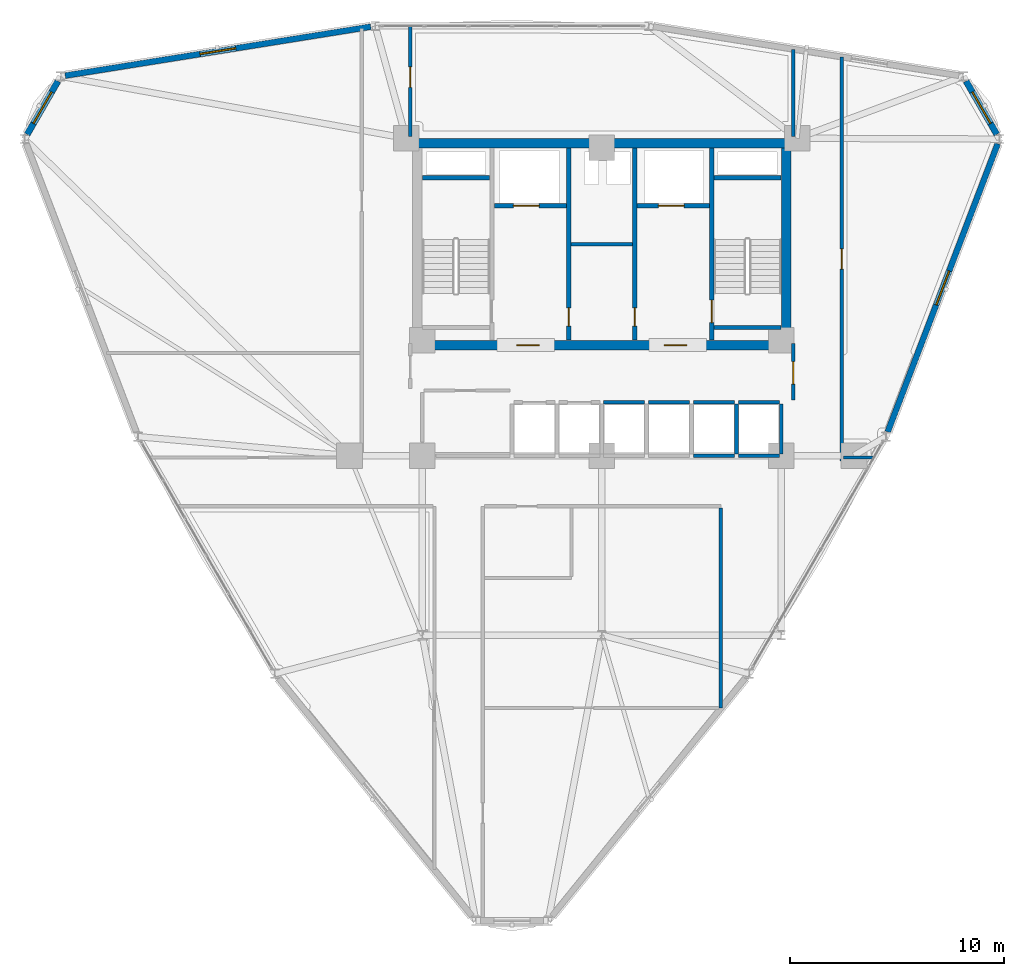
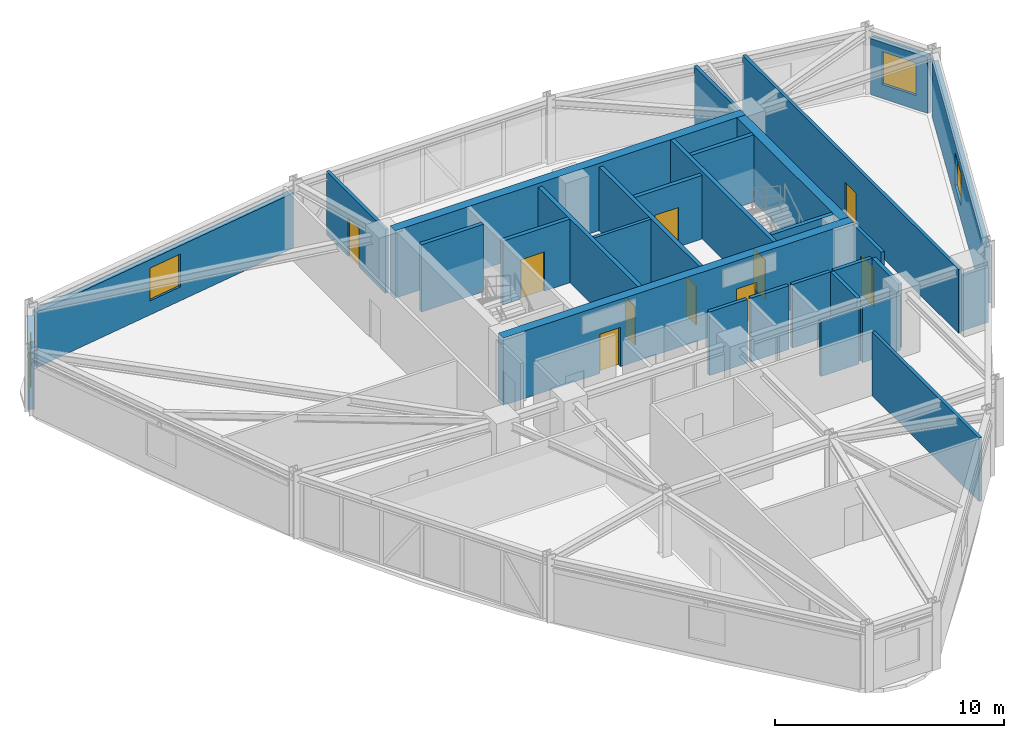
# One storey, part 11 of 15: 30 walls, 10 doors, 4 windows, 14 openings.
"""IFC4 building model written with IfcOpenShell, lengths in metres."""

from ifc_helpers import new_model, si_unit, derived_unit, direction, frame, frame_2d, origin, place, context, subcontext, project, spatial, rectangle, extrude, material, layer, layer_set, type_object, element, fill, save


model = new_model("IFC4")

# Units and contexts
model_context = context("Model", 3, precision=1e-05, world=origin(), true_north=direction((0.0, 1.0)))
body_context = subcontext(model_context, "Body", "Model", "MODEL_VIEW")
ifc_project = project(units=[si_unit("LENGTHUNIT", "METRE"), si_unit("AREAUNIT", "SQUARE_METRE"), si_unit("VOLUMEUNIT", "CUBIC_METRE"), si_unit("PLANEANGLEUNIT", "RADIAN"), si_unit("MASSUNIT", "GRAM", prefix="KILO"), derived_unit("THERMALTRANSMITTANCEUNIT", [(si_unit("POWERUNIT", "WATT"), 1), (si_unit("LENGTHUNIT", "METRE"), -2), (si_unit("THERMODYNAMICTEMPERATUREUNIT", "KELVIN"), -1)])], contexts=[model_context])

# Site, building, storey
site_placement = place(None, origin())
site = spatial("IfcSite", under=ifc_project, at=site_placement, CompositionType="ELEMENT")
building_placement = place(site_placement, origin())
building = spatial("IfcBuilding", under=site, at=building_placement, Name="Korsvarv Bourse and Concert Hall", CompositionType="ELEMENT")
storey_placement = place(building_placement, frame((0.0, 0.0, 161.39990234375)))
storey = spatial("IfcBuildingStorey", under=building, at=storey_placement, Name="L41", CompositionType="ELEMENT", Elevation=161.39990234375)

# Wall
ifc_material_1 = material(Name="Concrete C50/60", Category="concrete")
ifc_layer_1 = layer(ifc_material_1, 0.3798828125)
ifc_layer_set_1 = layer_set([ifc_layer_1], Name="Concrete C50/60")
wall_type_1 = type_object("IfcWallType", Name="WL-CORE-380", PredefinedType="SHEAR", material=ifc_layer_set_1)
wall_1_placement = place(storey_placement, frame((27.610107421875, 45.39990234375, 0.0), z_axis=(0.0, 0.0, 1.0), x_axis=(1.0, 0.0, 0.0)))
element("IfcWall", 1, at=wall_1_placement, inside=storey, type_object=wall_type_1, Name="L41 stair shaft structural wall W-L41-ST1-N", PredefinedType="SHEAR", context=body_context, shape_type="SweptSolid", body=[
    extrude(rectangle(XDim=3.139892578125, YDim=0.199951171875, at=frame_2d((1.56982421875, 0.0))), origin(), (0.0, 0.0, 1.0), 3.60009765625),
])

# Wall, opening, door
wall_2_placement = place(storey_placement, frame((41.139892578125, 37.81005859375, 0.0), z_axis=(0.0, 0.0, 1.0), x_axis=(0.0, 1.0, 0.0)))
wall_2 = element("IfcWall", 2, at=wall_2_placement, inside=storey, type_object=wall_type_1, Name="L41 stair shaft structural wall W-L41-ST2-W", PredefinedType="SHEAR", context=body_context, shape_type="SweptSolid", body=[
    extrude(rectangle(XDim=8.97998046875, YDim=0.199951171875, at=frame_2d((4.489990234375, 0.0))), origin(), (0.0, 0.0, 1.0), 3.60009765625),
])
opening_1_placement = place(wall_2_placement, frame((0.820068359375, 0.0, 0.0)))
opening_1 = element("IfcOpeningElement", 3, at=opening_1_placement, cuts=wall_2, Name="Opening D-01", PredefinedType="OPENING", context=body_context, shape_type="SweptSolid", body=[
    extrude(rectangle(XDim=1.050048828125, YDim=2.10009765625, at=frame_2d((0.52490234375, 1.050048828125))), frame((0.0, 0.10986328125, 0.0), z_axis=(0.0, -1.0, 0.0), x_axis=(1.0, 0.0, 0.0)), (0.0, 0.0, 1.0), 0.219970703125),
])
ifc_material_2 = material(Name="Steel S355 fire door", Category="steel")
door_type_1 = type_object("IfcDoorType", Name="DR-FD60", OperationType="NOTDEFINED", PredefinedType="DOOR", material=ifc_material_2)
door_1_placement = place(opening_1_placement, frame((1.050048828125, 0.0, 0.0), z_axis=(0.0, 0.0, 1.0), x_axis=(-1.0, 0.0, 0.0)))
door_1 = element("IfcDoor", 4, at=door_1_placement, inside=storey, type_object=door_type_1, Name="L41 interior door DR-L41-ST2", OperationType="SINGLE_SWING_LEFT", OverallHeight=2.10009765625, OverallWidth=1.050048828125, PredefinedType="DOOR", context=body_context, shape_type="SweptSolid", body=[
    extrude(rectangle(XDim=1.050048828125, YDim=2.10009765625, at=frame_2d((0.52490234375, 1.050048828125))), frame((0.0, 0.02490234375, 0.0), z_axis=(0.0, -1.0, 0.0), x_axis=(1.0, 0.0, 0.0)), (0.0, 0.0, 1.0), 0.050048828125),
])
fill(opening_1, door_1)

# Walls
for number, where, z_axis, x_axis, name in (
    (5, (41.25, 45.39990234375, 0.0), (0.0, 0.0, 1.0), (1.0, 0.0, 0.0), "L41 stair shaft structural wall W-L41-ST2-N"),
    (6, (41.25, 38.39990234375, 0.0), (0.0, 0.0, 1.0), (1.0, 0.0, 0.0), "L41 stair shaft structural wall W-L41-ST2-S"),
):
    element("IfcWall", number, at=place(storey_placement, frame(where, z_axis=z_axis, x_axis=x_axis)), inside=storey, type_object=wall_type_1, Name=name, PredefinedType="SHEAR", context=body_context, shape_type="SweptSolid", body=[
        extrude(rectangle(XDim=3.139892578125, YDim=0.199951171875, at=frame_2d((1.56982421875, 0.0))), origin(), (0.0, 0.0, 1.0), 3.60009765625),
    ])
ifc_material_3 = material(Name="Concrete C55/67", Category="concrete")
ifc_layer_2 = layer(ifc_material_3, 0.449951171875)
ifc_layer_set_2 = layer_set([ifc_layer_2], Name="Concrete C55/67")
wall_type_2 = type_object("IfcWallType", Name="WL-CORE-450", PredefinedType="SHEAR", material=ifc_layer_set_2)
wall_3_placement = place(storey_placement, frame((27.14990234375, 47.02490234375, 0.0), z_axis=(0.0, 0.0, 1.0), x_axis=(1.0, 0.0, 0.0)))
element("IfcWall", 7, at=wall_3_placement, inside=storey, type_object=wall_type_2, Name="L41 North Core Shear Wall", PredefinedType="SHEAR", context=body_context, shape_type="SweptSolid", body=[
    extrude(rectangle(XDim=17.7001953125, YDim=0.449951171875, at=frame_2d((8.85009765625, 0.0))), origin(), (0.0, 0.0, 1.0), 3.60009765625),
])

# Wall, openings, doors
wall_4_placement = place(storey_placement, frame((27.14990234375, 37.574951171875, 0.0), z_axis=(0.0, 0.0, 1.0), x_axis=(1.0, 0.0, 0.0)))
wall_4 = element("IfcWall", 8, at=wall_4_placement, inside=storey, type_object=wall_type_2, Name="L41 South Core Shear Wall", PredefinedType="SHEAR", context=body_context, shape_type="SweptSolid", body=[
    extrude(rectangle(XDim=17.7001953125, YDim=0.449951171875, at=frame_2d((8.85009765625, 0.0))), origin(), (0.0, 0.0, 1.0), 3.60009765625),
])
opening_2_placement = place(wall_4_placement, frame((4.875, 0.0, 0.0)))
opening_2 = element("IfcOpeningElement", 9, at=opening_2_placement, cuts=wall_4, Name="Opening D-01", PredefinedType="OPENING", context=body_context, shape_type="SweptSolid", body=[
    extrude(rectangle(XDim=1.050048828125, YDim=2.10009765625, at=frame_2d((0.52490234375, 1.050048828125))), frame((0.0, 0.23486328125, 0.0), z_axis=(0.0, -1.0, 0.0), x_axis=(1.0, 0.0, 0.0)), (0.0, 0.0, 1.0), 0.469970703125),
])
opening_3_placement = place(wall_4_placement, frame((11.77490234375, 0.0, 0.0)))
opening_3 = element("IfcOpeningElement", 10, at=opening_3_placement, cuts=wall_4, Name="Opening D-01", PredefinedType="OPENING", context=body_context, shape_type="SweptSolid", body=[
    extrude(rectangle(XDim=1.050048828125, YDim=2.10009765625, at=frame_2d((0.52490234375, 1.050048828125))), frame((0.0, 0.23486328125, 0.0), z_axis=(0.0, -1.0, 0.0), x_axis=(1.0, 0.0, 0.0)), (0.0, 0.0, 1.0), 0.469970703125),
])
door_2_placement = place(opening_2_placement, frame((1.050048828125, 0.0, 0.0), z_axis=(0.0, 0.0, 1.0), x_axis=(-1.0, 0.0, 0.0)))
door_2 = element("IfcDoor", 11, at=door_2_placement, inside=storey, type_object=door_type_1, Name="L41 firefighting lobby fire door DR-L41-FFLW", OperationType="SINGLE_SWING_LEFT", OverallHeight=2.10009765625, OverallWidth=1.050048828125, PredefinedType="DOOR", context=body_context, shape_type="SweptSolid", body=[
    extrude(rectangle(XDim=1.050048828125, YDim=2.10009765625, at=frame_2d((0.52490234375, 1.050048828125))), frame((0.0, 0.02490234375, 0.0), z_axis=(0.0, -1.0, 0.0), x_axis=(1.0, 0.0, 0.0)), (0.0, 0.0, 1.0), 0.050048828125),
])
fill(opening_2, door_2)
door_3_placement = place(opening_3_placement, frame((1.050048828125, 0.0, 0.0), z_axis=(0.0, 0.0, 1.0), x_axis=(-1.0, 0.0, 0.0)))
door_3 = element("IfcDoor", 12, at=door_3_placement, inside=storey, type_object=door_type_1, Name="L41 firefighting lobby fire door DR-L41-FFLE", OperationType="SINGLE_SWING_RIGHT", OverallHeight=2.10009765625, OverallWidth=1.050048828125, PredefinedType="DOOR", context=body_context, shape_type="SweptSolid", body=[
    extrude(rectangle(XDim=1.050048828125, YDim=2.10009765625, at=frame_2d((0.52490234375, 1.050048828125))), frame((0.0, 0.02490234375, 0.0), z_axis=(0.0, -1.0, 0.0), x_axis=(1.0, 0.0, 0.0)), (0.0, 0.0, 1.0), 0.050048828125),
])
fill(opening_3, door_3)

# Wall
wall_5_placement = place(storey_placement, frame((44.625, 37.800048828125, 0.0), z_axis=(0.0, 0.0, 1.0), x_axis=(0.0, 1.0, 0.0)))
element("IfcWall", 13, at=wall_5_placement, inside=storey, type_object=wall_type_2, Name="L41 East Core Shear Wall", PredefinedType="SHEAR", context=body_context, shape_type="SweptSolid", body=[
    extrude(rectangle(XDim=9.0, YDim=0.449951171875, at=frame_2d((4.5, 0.0))), origin(), (0.0, 0.0, 1.0), 3.60009765625),
])

# Wall, opening, window
ifc_material_4 = material(Name="Precast concrete C45/55 with terracotta rainscreen", Category="concrete")
ifc_layer_3 = layer(ifc_material_4, 0.300048828125)
ifc_layer_set_3 = layer_set([ifc_layer_3], Name="Precast concrete C45/55 with terracotta rainscreen")
wall_type_3 = type_object("IfcWallType", Name="WL-EXT-TC1", PredefinedType="SOLIDWALL", material=ifc_layer_set_3)
wall_6_placement = place(storey_placement, frame((54.48583984375, 47.436279296875, 0.0), z_axis=(0.0, 0.0, 1.0), x_axis=(-0.499962359318, 0.866047134552, 0.0)))
wall_6 = element("IfcWall", 14, at=wall_6_placement, inside=storey, type_object=wall_type_3, Name="L41 terracotta exterior wall EW-L41-B01", PredefinedType="SOLIDWALL", context=body_context, shape_type="SweptSolid", body=[
    extrude(rectangle(XDim=2.877685546875, YDim=0.300048828125, at=frame_2d((1.43896484375, 0.0))), origin(), (0.0, 0.0, 1.0), 3.0),
])
opening_4_placement = place(wall_6_placement, frame((0.588623046875, 0.0, 0.75)))
opening_4 = element("IfcOpeningElement", 15, at=opening_4_placement, cuts=wall_6, Name="Opening W-01", PredefinedType="OPENING", context=body_context, shape_type="SweptSolid", body=[
    extrude(rectangle(XDim=1.699951171875, YDim=1.75, at=frame_2d((0.85009765625, 0.875))), frame((0.0, 0.16015625, 0.0), z_axis=(0.0, -1.0, 0.0), x_axis=(1.0, 0.0, 0.0)), (0.0, 0.0, 1.0), 0.320068359375),
])
ifc_material_5 = material(Name="Thermally broken aluminium frame with triple low-E glass", Category="glass")
window_type = type_object("IfcWindowType", Name="WIN-TW1", PartitioningType="SINGLE_PANEL", PredefinedType="WINDOW", material=ifc_material_5)
window_1_placement = place(opening_4_placement, origin())
window_1 = element("IfcWindow", 16, at=window_1_placement, inside=storey, type_object=window_type, Name="L41 punched facade window W-01", OverallHeight=1.75, OverallWidth=1.699951171875, PartitioningType="SINGLE_PANEL", PredefinedType="WINDOW", context=body_context, shape_type="SweptSolid", body=[
    extrude(rectangle(XDim=1.699951171875, YDim=1.75, at=frame_2d((0.85009765625, 0.875))), frame((0.0, 0.030029296875, 0.0), z_axis=(0.0, -1.0, 0.0), x_axis=(1.0, 0.0, 0.0)), (0.0, 0.0, 1.0), 0.06005859375),
])
fill(opening_4, window_1)

wall_7_placement = place(storey_placement, frame((10.552978515625, 49.928466796875, 0.0), z_axis=(0.0, 0.0, 1.0), x_axis=(-0.499962359318, -0.866047134552, 0.0)))
wall_7 = element("IfcWall", 17, at=wall_7_placement, inside=storey, type_object=wall_type_3, Name="L41 terracotta exterior wall EW-L41-B05", PredefinedType="SOLIDWALL", context=body_context, shape_type="SweptSolid", body=[
    extrude(rectangle(XDim=2.877685546875, YDim=0.300048828125, at=frame_2d((1.43896484375, 0.0))), origin(), (0.0, 0.0, 1.0), 3.0),
])
opening_5_placement = place(wall_7_placement, frame((0.588623046875, 0.0, 0.75)))
opening_5 = element("IfcOpeningElement", 18, at=opening_5_placement, cuts=wall_7, Name="Opening W-01", PredefinedType="OPENING", context=body_context, shape_type="SweptSolid", body=[
    extrude(rectangle(XDim=1.699951171875, YDim=1.75, at=frame_2d((0.85009765625, 0.875))), frame((0.0, 0.16015625, 0.0), z_axis=(0.0, -1.0, 0.0), x_axis=(1.0, 0.0, 0.0)), (0.0, 0.0, 1.0), 0.320068359375),
])
window_2_placement = place(opening_5_placement, origin())
window_2 = element("IfcWindow", 19, at=window_2_placement, inside=storey, type_object=window_type, Name="L41 punched facade window W-01", OverallHeight=1.75, OverallWidth=1.699951171875, PartitioningType="SINGLE_PANEL", PredefinedType="WINDOW", context=body_context, shape_type="SweptSolid", body=[
    extrude(rectangle(XDim=1.699951171875, YDim=1.75, at=frame_2d((0.85009765625, 0.875))), frame((0.0, 0.030029296875, 0.0), z_axis=(0.0, -1.0, 0.0), x_axis=(1.0, 0.0, 0.0)), (0.0, 0.0, 1.0), 0.06005859375),
])
fill(opening_5, window_2)

ifc_material_6 = material(Name="Precast concrete C45/55 with fluted terracotta pier", Category="concrete")
ifc_layer_4 = layer(ifc_material_6, 0.280029296875)
ifc_layer_set_4 = layer_set([ifc_layer_4], Name="Precast concrete C45/55 with fluted terracotta pier")
wall_type_4 = type_object("IfcWallType", Name="WL-EXT-TC2", PredefinedType="SOLIDWALL", material=ifc_layer_set_4)
wall_8_placement = place(storey_placement, frame((25.1875, 52.4736328125, 0.0), z_axis=(0.0, 0.0, 1.0), x_axis=(-0.987423472948, -0.158097707357, 0.0)))
wall_8 = element("IfcWall", 20, at=wall_8_placement, inside=storey, type_object=wall_type_4, Name="L41 terracotta exterior wall EW-L41-B04", PredefinedType="SOLIDWALL", context=body_context, shape_type="SweptSolid", body=[
    extrude(rectangle(XDim=14.477294921875, YDim=0.280029296875, at=frame_2d((7.23876953125, 0.0))), origin(), (0.0, 0.0, 1.0), 2.9501953125),
])
opening_6_placement = place(wall_8_placement, frame((6.388671875, 0.0, 0.75)))
opening_6 = element("IfcOpeningElement", 21, at=opening_6_placement, cuts=wall_8, Name="Opening W-01", PredefinedType="OPENING", context=body_context, shape_type="SweptSolid", body=[
    extrude(rectangle(XDim=1.699951171875, YDim=1.75, at=frame_2d((0.85009765625, 0.875))), frame((0.0, 0.14990234375, 0.0), z_axis=(0.0, -1.0, 0.0), x_axis=(1.0, 0.0, 0.0)), (0.0, 0.0, 1.0), 0.300048828125),
])
window_3_placement = place(opening_6_placement, origin())
window_3 = element("IfcWindow", 22, at=window_3_placement, inside=storey, type_object=window_type, Name="L41 punched facade window W-01", OverallHeight=1.75, OverallWidth=1.699951171875, PartitioningType="SINGLE_PANEL", PredefinedType="WINDOW", context=body_context, shape_type="SweptSolid", body=[
    extrude(rectangle(XDim=1.699951171875, YDim=1.75, at=frame_2d((0.85009765625, 0.875))), frame((0.0, 0.030029296875, 0.0), z_axis=(0.0, -1.0, 0.0), x_axis=(1.0, 0.0, 0.0)), (0.0, 0.0, 1.0), 0.06005859375),
])
fill(opening_6, window_3)

wall_9_placement = place(storey_placement, frame((49.381591796875, 33.5126953125, 0.0), z_axis=(0.0, 0.0, 1.0), x_axis=(0.356778358033, 0.934189061828, 0.0)))
wall_9 = element("IfcWall", 23, at=wall_9_placement, inside=storey, type_object=wall_type_4, Name="L41 terracotta exterior wall EW-L41-B12", PredefinedType="SOLIDWALL", context=body_context, shape_type="SweptSolid", body=[
    extrude(rectangle(XDim=14.42822265625, YDim=0.280029296875, at=frame_2d((7.214111328125, 0.0))), origin(), (0.0, 0.0, 1.0), 3.0),
])
opening_7_placement = place(wall_9_placement, frame((6.364013671875, 0.0, 0.75)))
opening_7 = element("IfcOpeningElement", 24, at=opening_7_placement, cuts=wall_9, Name="Opening W-01", PredefinedType="OPENING", context=body_context, shape_type="SweptSolid", body=[
    extrude(rectangle(XDim=1.699951171875, YDim=1.75, at=frame_2d((0.85009765625, 0.875))), frame((0.0, 0.14990234375, 0.0), z_axis=(0.0, -1.0, 0.0), x_axis=(1.0, 0.0, 0.0)), (0.0, 0.0, 1.0), 0.300048828125),
])
window_4_placement = place(opening_7_placement, origin())
window_4 = element("IfcWindow", 25, at=window_4_placement, inside=storey, type_object=window_type, Name="L41 punched facade window W-01", OverallHeight=1.75, OverallWidth=1.699951171875, PartitioningType="SINGLE_PANEL", PredefinedType="WINDOW", context=body_context, shape_type="SweptSolid", body=[
    extrude(rectangle(XDim=1.699951171875, YDim=1.75, at=frame_2d((0.85009765625, 0.875))), frame((0.0, 0.030029296875, 0.0), z_axis=(0.0, -1.0, 0.0), x_axis=(1.0, 0.0, 0.0)), (0.0, 0.0, 1.0), 0.06005859375),
])
fill(opening_7, window_4)

# Wall, opening, door
ifc_material_7 = material(Name="Reinforced concrete blockwork C35/45 fire wall", Category="concrete")
ifc_layer_5 = layer(ifc_material_7, 0.199951171875)
ifc_layer_set_5 = layer_set([ifc_layer_5], Name="Reinforced concrete blockwork C35/45 fire wall")
wall_type_5 = type_object("IfcWallType", Name="WL-INT-EI120", PredefinedType="PARTITIONING", material=ifc_layer_set_5)
wall_10_placement = place(storey_placement, frame((30.969970703125, 44.10009765625, 0.0), z_axis=(0.0, 0.0, 1.0), x_axis=(1.0, 0.0, 0.0)))
wall_10 = element("IfcWall", 26, at=wall_10_placement, inside=storey, type_object=wall_type_5, Name="L41 interior partition wall W-L41-FF1-S", PredefinedType="PARTITIONING", context=body_context, shape_type="SweptSolid", body=[
    extrude(rectangle(XDim=3.380126953125, YDim=0.199951171875, at=frame_2d((1.68994140625, 0.0))), origin(), (0.0, 0.0, 1.0), 3.400146484375),
])
opening_8_placement = place(wall_10_placement, frame((0.89990234375, 0.0, 0.0)))
opening_8 = element("IfcOpeningElement", 27, at=opening_8_placement, cuts=wall_10, Name="Opening LD-1", PredefinedType="OPENING", context=body_context, shape_type="SweptSolid", body=[
    extrude(rectangle(XDim=1.199951171875, YDim=2.10009765625, at=frame_2d((0.60009765625, 1.050048828125))), frame((0.0, 0.10986328125, 0.0), z_axis=(0.0, -1.0, 0.0), x_axis=(1.0, 0.0, 0.0)), (0.0, 0.0, 1.0), 0.219970703125),
])
ifc_material_8 = material(Name="Stainless Steel S355 firefighting lift landing door", Category="steel")
door_type_2 = type_object("IfcDoorType", Name="DR-LIFT-FF", OperationType="DOUBLE_DOOR_SLIDING", PredefinedType="DOOR", material=ifc_material_8)
door_4_placement = place(opening_8_placement, origin())
door_4 = element("IfcDoor", 28, at=door_4_placement, inside=storey, type_object=door_type_2, Name="L41 lift sliding landing door LD-L41-FF1", OperationType="DOUBLE_DOOR_SLIDING", OverallHeight=2.10009765625, OverallWidth=1.199951171875, PredefinedType="DOOR", context=body_context, shape_type="SweptSolid", body=[
    extrude(rectangle(XDim=1.199951171875, YDim=2.10009765625, at=frame_2d((0.60009765625, 1.050048828125))), frame((0.0, 0.02490234375, 0.0), z_axis=(0.0, -1.0, 0.0), x_axis=(1.0, 0.0, 0.0)), (0.0, 0.0, 1.0), 0.050048828125),
])
fill(opening_8, door_4)

wall_11_placement = place(storey_placement, frame((37.64990234375, 44.10009765625, 0.0), z_axis=(0.0, 0.0, 1.0), x_axis=(1.0, 0.0, 0.0)))
wall_11 = element("IfcWall", 29, at=wall_11_placement, inside=storey, type_object=wall_type_5, Name="L41 interior partition wall W-L41-FF2-S", PredefinedType="PARTITIONING", context=body_context, shape_type="SweptSolid", body=[
    extrude(rectangle(XDim=3.380126953125, YDim=0.199951171875, at=frame_2d((1.68994140625, 0.0))), origin(), (0.0, 0.0, 1.0), 3.400146484375),
])
opening_9_placement = place(wall_11_placement, frame((1.0, 0.0, 0.0)))
opening_9 = element("IfcOpeningElement", 30, at=opening_9_placement, cuts=wall_11, Name="Opening LD-1", PredefinedType="OPENING", context=body_context, shape_type="SweptSolid", body=[
    extrude(rectangle(XDim=1.199951171875, YDim=2.10009765625, at=frame_2d((0.60009765625, 1.050048828125))), frame((0.0, 0.10986328125, 0.0), z_axis=(0.0, -1.0, 0.0), x_axis=(1.0, 0.0, 0.0)), (0.0, 0.0, 1.0), 0.219970703125),
])
door_5_placement = place(opening_9_placement, origin())
door_5 = element("IfcDoor", 31, at=door_5_placement, inside=storey, type_object=door_type_2, Name="L41 lift sliding landing door LD-L41-FF2", OperationType="DOUBLE_DOOR_SLIDING", OverallHeight=2.10009765625, OverallWidth=1.199951171875, PredefinedType="DOOR", context=body_context, shape_type="SweptSolid", body=[
    extrude(rectangle(XDim=1.199951171875, YDim=2.10009765625, at=frame_2d((0.60009765625, 1.050048828125))), frame((0.0, 0.02490234375, 0.0), z_axis=(0.0, -1.0, 0.0), x_axis=(1.0, 0.0, 0.0)), (0.0, 0.0, 1.0), 0.050048828125),
])
fill(opening_9, door_5)

wall_12_placement = place(storey_placement, frame((34.4599609375, 37.81005859375, 0.0), z_axis=(0.0, 0.0, 1.0), x_axis=(0.0, 1.0, 0.0)))
wall_12 = element("IfcWall", 32, at=wall_12_placement, inside=storey, type_object=wall_type_5, Name="L41 interior partition wall W-L41-CSB-W", PredefinedType="PARTITIONING", context=body_context, shape_type="SweptSolid", body=[
    extrude(rectangle(XDim=8.97998046875, YDim=0.199951171875, at=frame_2d((4.489990234375, 0.0))), origin(), (0.0, 0.0, 1.0), 3.400146484375),
])
opening_10_placement = place(wall_12_placement, frame((0.64990234375, 0.0, 0.0)))
opening_10 = element("IfcOpeningElement", 33, at=opening_10_placement, cuts=wall_12, Name="Opening D-05", PredefinedType="OPENING", context=body_context, shape_type="SweptSolid", body=[
    extrude(rectangle(XDim=0.85009765625, YDim=2.050048828125, at=frame_2d((0.425048828125, 1.02490234375))), frame((0.0, 0.10986328125, 0.0), z_axis=(0.0, -1.0, 0.0), x_axis=(1.0, 0.0, 0.0)), (0.0, 0.0, 1.0), 0.219970703125),
])
door_type_3 = type_object("IfcDoorType", Name="DR-FD60-850X2050", OperationType="NOTDEFINED", PredefinedType="DOOR", material=ifc_material_2)
door_6_placement = place(opening_10_placement, frame((0.85009765625, 0.0, 0.0), z_axis=(0.0, 0.0, 1.0), x_axis=(-1.0, 0.0, 0.0)))
door_6 = element("IfcDoor", 34, at=door_6_placement, inside=storey, type_object=door_type_3, Name="L41 interior door DR-L41-CSB1", OperationType="SINGLE_SWING_RIGHT", OverallHeight=2.050048828125, OverallWidth=0.85009765625, PredefinedType="DOOR", context=body_context, shape_type="SweptSolid", body=[
    extrude(rectangle(XDim=0.85009765625, YDim=2.050048828125, at=frame_2d((0.425048828125, 1.02490234375))), frame((0.0, 0.02490234375, 0.0), z_axis=(0.0, -1.0, 0.0), x_axis=(1.0, 0.0, 0.0)), (0.0, 0.0, 1.0), 0.050048828125),
])
fill(opening_10, door_6)

wall_13_placement = place(storey_placement, frame((37.5400390625, 37.81005859375, 0.0), z_axis=(0.0, 0.0, 1.0), x_axis=(0.0, 1.0, 0.0)))
wall_13 = element("IfcWall", 35, at=wall_13_placement, inside=storey, type_object=wall_type_5, Name="L41 interior partition wall W-L41-CSB-E", PredefinedType="PARTITIONING", context=body_context, shape_type="SweptSolid", body=[
    extrude(rectangle(XDim=8.97998046875, YDim=0.199951171875, at=frame_2d((4.489990234375, 0.0))), origin(), (0.0, 0.0, 1.0), 3.400146484375),
])
opening_11_placement = place(wall_13_placement, frame((0.64990234375, 0.0, 0.0)))
opening_11 = element("IfcOpeningElement", 36, at=opening_11_placement, cuts=wall_13, Name="Opening D-05", PredefinedType="OPENING", context=body_context, shape_type="SweptSolid", body=[
    extrude(rectangle(XDim=0.85009765625, YDim=2.050048828125, at=frame_2d((0.425048828125, 1.02490234375))), frame((0.0, 0.10986328125, 0.0), z_axis=(0.0, -1.0, 0.0), x_axis=(1.0, 0.0, 0.0)), (0.0, 0.0, 1.0), 0.219970703125),
])
door_7_placement = place(opening_11_placement, origin())
door_7 = element("IfcDoor", 37, at=door_7_placement, inside=storey, type_object=door_type_3, Name="L41 interior door DR-L41-CSB2", OperationType="SINGLE_SWING_LEFT", OverallHeight=2.050048828125, OverallWidth=0.85009765625, PredefinedType="DOOR", context=body_context, shape_type="SweptSolid", body=[
    extrude(rectangle(XDim=0.85009765625, YDim=2.050048828125, at=frame_2d((0.425048828125, 1.02490234375))), frame((0.0, 0.02490234375, 0.0), z_axis=(0.0, -1.0, 0.0), x_axis=(1.0, 0.0, 0.0)), (0.0, 0.0, 1.0), 0.050048828125),
])
fill(opening_11, door_7)

# Wall
ifc_material_9 = material(Name="Double-stud fire-rated acoustic partition", Category="gypsum")
ifc_layer_6 = layer(ifc_material_9, 0.159912109375)
ifc_layer_set_6 = layer_set([ifc_layer_6], Name="Double-stud fire-rated acoustic partition")
wall_type_6 = type_object("IfcWallType", Name="WL-INT-EI60", PredefinedType="PARTITIONING", material=ifc_layer_set_6)
wall_14_placement = place(storey_placement, frame((34.570068359375, 42.300048828125, 0.0), z_axis=(0.0, 0.0, 1.0), x_axis=(1.0, 0.0, 0.0)))
element("IfcWall", 38, at=wall_14_placement, inside=storey, type_object=wall_type_6, Name="L41 interior partition wall W-L41-K1", PredefinedType="PARTITIONING", context=body_context, shape_type="SweptSolid", body=[
    extrude(rectangle(XDim=2.85986328125, YDim=0.159912109375, at=frame_2d((1.429931640625, 0.0))), origin(), (0.0, 0.0, 1.0), 3.400146484375),
])

# Wall, opening, door
wall_15_placement = place(storey_placement, frame((44.9599609375, 35.0, 0.0), z_axis=(0.0, 0.0, 1.0), x_axis=(0.0, 1.0, 0.0)))
wall_15 = element("IfcWall", 39, at=wall_15_placement, inside=storey, type_object=wall_type_6, Name="L41 interior partition wall W-L41-LOB-E", PredefinedType="PARTITIONING", context=body_context, shape_type="SweptSolid", body=[
    extrude(rectangle(XDim=2.64990234375, YDim=0.159912109375, at=frame_2d((1.324951171875, 0.0))), origin(), (0.0, 0.0, 1.0), 3.400146484375),
])
opening_12_placement = place(wall_15_placement, frame((0.75, 0.0, 0.0)))
opening_12 = element("IfcOpeningElement", 40, at=opening_12_placement, cuts=wall_15, Name="Opening D-01", PredefinedType="OPENING", context=body_context, shape_type="SweptSolid", body=[
    extrude(rectangle(XDim=1.050048828125, YDim=2.10009765625, at=frame_2d((0.52490234375, 1.050048828125))), frame((0.0, 0.08984375, 0.0), z_axis=(0.0, -1.0, 0.0), x_axis=(1.0, 0.0, 0.0)), (0.0, 0.0, 1.0), 0.179931640625),
])
door_8_placement = place(opening_12_placement, origin())
door_8 = element("IfcDoor", 41, at=door_8_placement, inside=storey, type_object=door_type_1, Name="L41 interior door DR-L41-LOBE", OperationType="SINGLE_SWING_RIGHT", OverallHeight=2.10009765625, OverallWidth=1.050048828125, PredefinedType="DOOR", context=body_context, shape_type="SweptSolid", body=[
    extrude(rectangle(XDim=1.050048828125, YDim=2.10009765625, at=frame_2d((0.52490234375, 1.050048828125))), frame((0.0, 0.02490234375, 0.0), z_axis=(0.0, -1.0, 0.0), x_axis=(1.0, 0.0, 0.0)), (0.0, 0.0, 1.0), 0.050048828125),
])
fill(opening_12, door_8)

wall_16_placement = place(storey_placement, frame((47.22509765625, 32.159912109375, 0.0), z_axis=(0.0, 0.0, 1.0), x_axis=(0.0, 1.0, 0.0)))
wall_16 = element("IfcWall", 42, at=wall_16_placement, inside=storey, type_object=wall_type_6, Name="L41 interior partition wall W-L41-TCOR-03", PredefinedType="PARTITIONING", context=body_context, shape_type="SweptSolid", body=[
    extrude(rectangle(XDim=18.882568359375, YDim=0.159912109375, at=frame_2d((9.44140625, 0.0))), origin(), (0.0, 0.0, 1.0), 3.400146484375),
])
opening_13_placement = place(wall_16_placement, frame((8.96630859375, 0.0, 0.0)))
opening_13 = element("IfcOpeningElement", 43, at=opening_13_placement, cuts=wall_16, Name="Opening D-02", PredefinedType="OPENING", context=body_context, shape_type="SweptSolid", body=[
    extrude(rectangle(XDim=0.949951171875, YDim=2.050048828125, at=frame_2d((0.47509765625, 1.02490234375))), frame((0.0, 0.08984375, 0.0), z_axis=(0.0, -1.0, 0.0), x_axis=(1.0, 0.0, 0.0)), (0.0, 0.0, 1.0), 0.179931640625),
])
ifc_material_10 = material(Name="Timber and steel acoustic fire door", Category="wood")
door_type_4 = type_object("IfcDoorType", Name="DR-FD30", OperationType="NOTDEFINED", PredefinedType="DOOR", material=ifc_material_10)
door_9_placement = place(opening_13_placement, origin())
door_9 = element("IfcDoor", 44, at=door_9_placement, inside=storey, type_object=door_type_4, Name="L41 interior door DR-L41-TCOR-S081", OperationType="SINGLE_SWING_LEFT", OverallHeight=2.050048828125, OverallWidth=0.949951171875, PredefinedType="DOOR", context=body_context, shape_type="SweptSolid", body=[
    extrude(rectangle(XDim=0.949951171875, YDim=2.050048828125, at=frame_2d((0.47509765625, 1.02490234375))), frame((0.0, 0.02490234375, 0.0), z_axis=(0.0, -1.0, 0.0), x_axis=(1.0, 0.0, 0.0)), (0.0, 0.0, 1.0), 0.050048828125),
])
fill(opening_13, door_9)

# Wall
wall_17_placement = place(storey_placement, frame((41.574951171875, 20.59765625, 0.0), z_axis=(0.0, 0.0, 1.0), x_axis=(0.0, 1.0, 0.0)))
element("IfcWall", 45, at=wall_17_placement, inside=storey, type_object=wall_type_6, Name="L41 interior partition wall W-L41-TCOR-08", PredefinedType="PARTITIONING", context=body_context, shape_type="SweptSolid", body=[
    extrude(rectangle(XDim=9.345458984375, YDim=0.159912109375, at=frame_2d((4.6728515625, 0.0))), origin(), (0.0, 0.0, 1.0), 3.400146484375),
])

# Wall, opening, door
wall_18_placement = place(storey_placement, frame((27.034912109375, 47.340087890625, 0.0), z_axis=(0.0, 0.0, 1.0), x_axis=(0.0, 1.0, 0.0)))
wall_18 = element("IfcWall", 46, at=wall_18_placement, inside=storey, type_object=wall_type_6, Name="L41 interior partition wall W-L41-TCOR-09", PredefinedType="PARTITIONING", context=body_context, shape_type="SweptSolid", body=[
    extrude(rectangle(XDim=5.1474609375, YDim=0.159912109375, at=frame_2d((2.57373046875, 0.0))), origin(), (0.0, 0.0, 1.0), 3.400146484375),
])
opening_14_placement = place(wall_18_placement, frame((2.29638671875, 0.0, 0.0)))
opening_14 = element("IfcOpeningElement", 47, at=opening_14_placement, cuts=wall_18, Name="Opening D-02", PredefinedType="OPENING", context=body_context, shape_type="SweptSolid", body=[
    extrude(rectangle(XDim=0.949951171875, YDim=2.050048828125, at=frame_2d((0.47509765625, 1.02490234375))), frame((0.0, 0.08984375, 0.0), z_axis=(0.0, -1.0, 0.0), x_axis=(1.0, 0.0, 0.0)), (0.0, 0.0, 1.0), 0.179931640625),
])
door_10_placement = place(opening_14_placement, origin())
door_10 = element("IfcDoor", 48, at=door_10_placement, inside=storey, type_object=door_type_4, Name="L41 interior door DR-L41-TCOR-S042", OperationType="SINGLE_SWING_LEFT", OverallHeight=2.050048828125, OverallWidth=0.949951171875, PredefinedType="DOOR", context=body_context, shape_type="SweptSolid", body=[
    extrude(rectangle(XDim=0.949951171875, YDim=2.050048828125, at=frame_2d((0.47509765625, 1.02490234375))), frame((0.0, 0.02490234375, 0.0), z_axis=(0.0, -1.0, 0.0), x_axis=(1.0, 0.0, 0.0)), (0.0, 0.0, 1.0), 0.050048828125),
])
fill(opening_14, door_10)

# Walls
wall_19_placement = place(storey_placement, frame((44.965087890625, 47.340087890625, 0.0), z_axis=(0.0, 0.0, 1.0), x_axis=(0.0, 1.0, 0.0)))
element("IfcWall", 49, at=wall_19_placement, inside=storey, type_object=wall_type_6, Name="L41 interior partition wall W-L41-TCOR-10", PredefinedType="PARTITIONING", context=body_context, shape_type="SweptSolid", body=[
    extrude(rectangle(XDim=4.064453125, YDim=0.159912109375, at=frame_2d((2.0322265625, 0.0))), origin(), (0.0, 0.0, 1.0), 3.400146484375),
])
wall_20_placement = place(storey_placement, frame((47.306884765625, 32.31494140625, 0.0), z_axis=(0.0, 0.0, 1.0), x_axis=(1.0, 0.0, 0.0)))
element("IfcWall", 50, at=wall_20_placement, inside=storey, type_object=wall_type_6, Name="L41 interior partition wall W-L41-TCOR-11", PredefinedType="PARTITIONING", context=body_context, shape_type="SweptSolid", body=[
    extrude(rectangle(XDim=1.40673828125, YDim=0.159912109375, at=frame_2d((0.703369140625, 0.0))), origin(), (0.0, 0.0, 1.0), 2.9501953125),
])
ifc_material_11 = material(Name="Gypsum-clad autoclaved concrete shaft wall C30/37", Category="concrete")
ifc_layer_7 = layer(ifc_material_11, 0.179931640625)
ifc_layer_set_7 = layer_set([ifc_layer_7], Name="Gypsum-clad autoclaved concrete shaft wall C30/37")
wall_type_7 = type_object("IfcWallType", Name="WL-INT-EI90", PredefinedType="PARTITIONING", material=ifc_layer_set_7)
wall_21_placement = place(storey_placement, frame((36.090087890625, 34.89990234375, 0.0), z_axis=(0.0, 0.0, 1.0), x_axis=(1.0, 0.0, 0.0)))
element("IfcWall", 51, at=wall_21_placement, inside=storey, type_object=wall_type_7, Name="L41 interior partition wall W-L41-SHFN-PH1", PredefinedType="PARTITIONING", context=body_context, shape_type="SweptSolid", body=[
    extrude(rectangle(XDim=1.919921875, YDim=0.179931640625, at=frame_2d((0.9599609375, 0.0))), origin(), (0.0, 0.0, 1.0), 3.400146484375),
])
wall_22_placement = place(storey_placement, frame((38.18994140625, 34.89990234375, 0.0), z_axis=(0.0, 0.0, 1.0), x_axis=(1.0, 0.0, 0.0)))
element("IfcWall", 52, at=wall_22_placement, inside=storey, type_object=wall_type_7, Name="L41 interior partition wall W-L41-SHFN-PH2", PredefinedType="PARTITIONING", context=body_context, shape_type="SweptSolid", body=[
    extrude(rectangle(XDim=1.920166015625, YDim=0.179931640625, at=frame_2d((0.9599609375, 0.0))), origin(), (0.0, 0.0, 1.0), 3.400146484375),
])
wall_23_placement = place(storey_placement, frame((40.2900390625, 34.89990234375, 0.0), z_axis=(0.0, 0.0, 1.0), x_axis=(1.0, 0.0, 0.0)))
element("IfcWall", 53, at=wall_23_placement, inside=storey, type_object=wall_type_7, Name="L41 interior partition wall W-L41-SHFN-PO1", PredefinedType="PARTITIONING", context=body_context, shape_type="SweptSolid", body=[
    extrude(rectangle(XDim=1.919921875, YDim=0.179931640625, at=frame_2d((0.9599609375, 0.0))), origin(), (0.0, 0.0, 1.0), 3.400146484375),
])
wall_24_placement = place(storey_placement, frame((40.2900390625, 32.39990234375, 0.0), z_axis=(0.0, 0.0, 1.0), x_axis=(1.0, 0.0, 0.0)))
element("IfcWall", 54, at=wall_24_placement, inside=storey, type_object=wall_type_7, Name="L41 interior partition wall W-L41-SHFS-PO1", PredefinedType="PARTITIONING", context=body_context, shape_type="SweptSolid", body=[
    extrude(rectangle(XDim=1.919921875, YDim=0.179931640625, at=frame_2d((0.9599609375, 0.0))), origin(), (0.0, 0.0, 1.0), 2.9501953125),
])
wall_25_placement = place(storey_placement, frame((42.389892578125, 34.89990234375, 0.0), z_axis=(0.0, 0.0, 1.0), x_axis=(1.0, 0.0, 0.0)))
element("IfcWall", 55, at=wall_25_placement, inside=storey, type_object=wall_type_7, Name="L41 interior partition wall W-L41-SHFN-PO2", PredefinedType="PARTITIONING", context=body_context, shape_type="SweptSolid", body=[
    extrude(rectangle(XDim=1.920166015625, YDim=0.179931640625, at=frame_2d((0.9599609375, 0.0))), origin(), (0.0, 0.0, 1.0), 3.400146484375),
])
wall_26_placement = place(storey_placement, frame((42.389892578125, 32.39990234375, 0.0), z_axis=(0.0, 0.0, 1.0), x_axis=(1.0, 0.0, 0.0)))
element("IfcWall", 56, at=wall_26_placement, inside=storey, type_object=wall_type_7, Name="L41 interior partition wall W-L41-SHFS-PO2", PredefinedType="PARTITIONING", context=body_context, shape_type="SweptSolid", body=[
    extrude(rectangle(XDim=1.920166015625, YDim=0.179931640625, at=frame_2d((0.9599609375, 0.0))), origin(), (0.0, 0.0, 1.0), 2.9501953125),
])
for number, where, z_axis, x_axis, name in (
    (57, (42.300048828125, 32.489990234375, 0.0), (0.0, 0.0, 1.0), (0.0, 1.0, 0.0), "L41 interior partition wall W-L41-SHFW-PO2"),
    (58, (44.39990234375, 32.489990234375, 0.0), (0.0, 0.0, 1.0), (0.0, 1.0, 0.0), "L41 interior partition wall W-L41-SHFE-END"),
):
    element("IfcWall", number, at=place(storey_placement, frame(where, z_axis=z_axis, x_axis=x_axis)), inside=storey, type_object=wall_type_7, Name=name, PredefinedType="PARTITIONING", context=body_context, shape_type="SweptSolid", body=[
        extrude(rectangle(XDim=2.320068359375, YDim=0.179931640625, at=frame_2d((1.16015625, 0.0))), origin(), (0.0, 0.0, 1.0), 3.400146484375),
    ])

save(model, "model.ifc")
